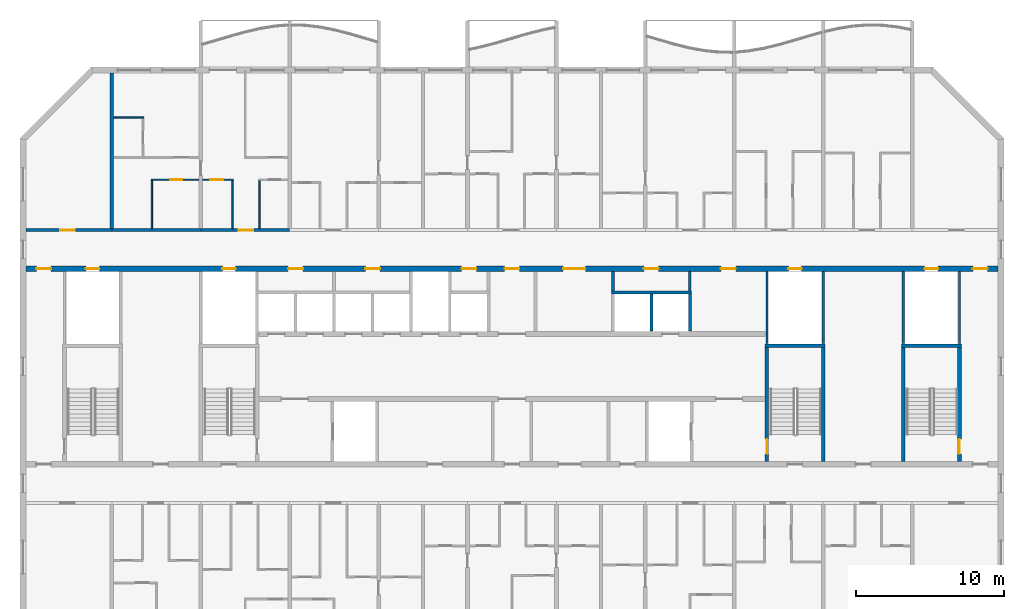
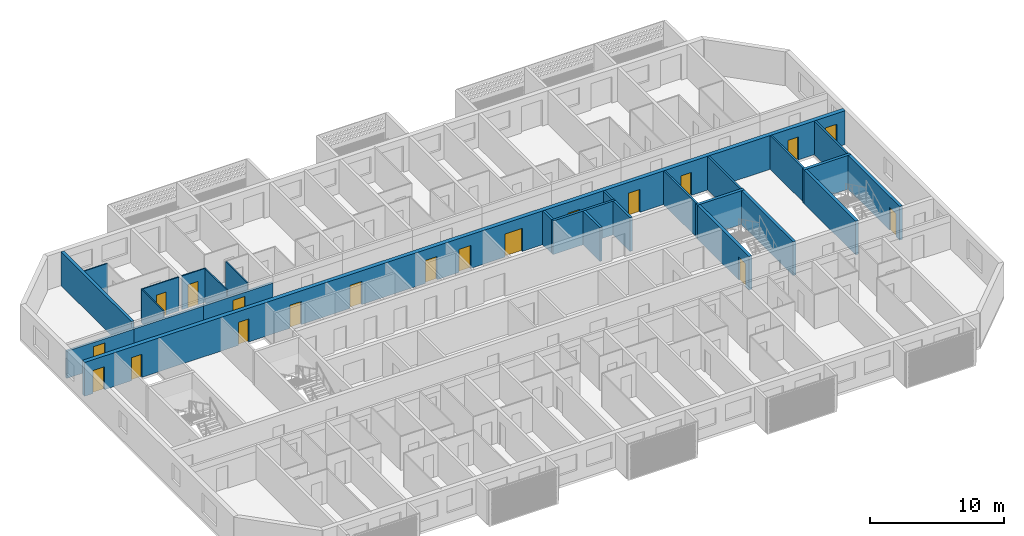
# One storey, part 7 of 26: 26 walls, 19 doors, 19 openings.
"""IFC4 building model written with IfcOpenShell, lengths in metres."""

import ifcopenshell
import ifcopenshell.guid

model = None  # the IFC model being written
_history = None  # IfcOwnerHistory: only IFC2X3 demands one
_inside = {}  # id of a spatial element -> (the spatial element, [elements in it])
_under = {}  # id of a project, library or spatial element -> (it, [spatial elements below it])
_declared = {}  # id of a project -> (the project, [libraries it declares])
_typed = {}  # id of a type object -> (the type object, [elements of that type])
_made_of = {}  # id of a material, layer set ... -> (it, [elements and type objects made of it])


def new_model(schema):
    """Start an empty IFC model of exactly this schema.

    Asked for "IFC4X3", IfcOpenShell would pick the latest addendum, in which some entities
    have other attributes; the version numbers below select the first issue.
    IFC2X3 requires an IfcOwnerHistory on every rooted entity: one is made here for all.
    """
    global model, _history
    if schema == "IFC4X3":
        model = ifcopenshell.file(schema_version=(4, 3, 0, 0))
    else:
        model = ifcopenshell.file(schema=schema)
    _inside.clear()
    _under.clear()
    _declared.clear()
    _typed.clear()
    _made_of.clear()
    _history = None
    if model.schema == "IFC2X3":
        org = make("IfcOrganization", Name="unknown")
        user = make(
            "IfcPersonAndOrganization",
            ThePerson=make("IfcPerson", FamilyName="unknown"),
            TheOrganization=org,
        )
        app = make(
            "IfcApplication",
            ApplicationDeveloper=org,
            Version="unknown",
            ApplicationFullName="unknown",
            ApplicationIdentifier="unknown",
        )
        _history = make(
            "IfcOwnerHistory",
            OwningUser=user,
            OwningApplication=app,
            ChangeAction="ADDED",
            CreationDate=0,
        )
    return model


def make(cls, **values):
    """One entity of the class cls with the attributes given. An attribute that is None is left unset."""
    return model.create_entity(
        cls, **{name: value for name, value in values.items() if value is not None}
    )


def rooted(cls, **values):
    """An entity with a GlobalId (a new one), such as an element, a storey or a relation."""
    return make(cls, GlobalId=ifcopenshell.guid.new(), OwnerHistory=_history, **values)


def si_unit(unit_type, name, prefix=None):
    """IfcSIUnit, for example si_unit("LENGTHUNIT", "METRE", prefix="MILLI")."""
    return make("IfcSIUnit", UnitType=unit_type, Prefix=prefix, Name=name)


def assignment(units):
    """IfcUnitAssignment: the units of a project."""
    return None if units is None else make("IfcUnitAssignment", Units=units)


def point(xyz):
    """IfcCartesianPoint."""
    return None if xyz is None else make("IfcCartesianPoint", Coordinates=xyz)


def direction(xyz):
    """IfcDirection."""
    return None if xyz is None else make("IfcDirection", DirectionRatios=xyz)


def frame(location, z_axis=None, x_axis=None):
    """IfcAxis2Placement3D, a coordinate frame: its origin and axes. An axis left out is left unset."""
    return make(
        "IfcAxis2Placement3D",
        Location=point(location),
        Axis=direction(z_axis),
        RefDirection=direction(x_axis),
    )


def frame_2d(location, x_axis=None):
    """IfcAxis2Placement2D, a coordinate frame in the plane: its origin and x axis."""
    return make(
        "IfcAxis2Placement2D", Location=point(location), RefDirection=direction(x_axis)
    )


def origin():
    """The frame at (0, 0, 0) with its axes left unset."""
    return frame((0.0, 0.0, 0.0))


def place(relative_to, where):
    """IfcLocalPlacement: puts the frame where relative to a parent placement (None: the world)."""
    return make(
        "IfcLocalPlacement", PlacementRelTo=relative_to, RelativePlacement=where
    )


def context(
    kind, dimensions, precision=None, world=None, true_north=None, identifier=None
):
    """IfcGeometricRepresentationContext, for example the 3D "Model" context."""
    return make(
        "IfcGeometricRepresentationContext",
        ContextIdentifier=identifier,
        ContextType=kind,
        CoordinateSpaceDimension=dimensions,
        Precision=precision,
        WorldCoordinateSystem=world,
        TrueNorth=true_north,
    )


def subcontext(parent, identifier, kind, view, scale=None):
    """IfcGeometricRepresentationSubContext, for example "Body" below "Model"."""
    return make(
        "IfcGeometricRepresentationSubContext",
        ContextIdentifier=identifier,
        ContextType=kind,
        ParentContext=parent,
        TargetScale=scale,
        TargetView=view,
    )


def project(units=None, contexts=None):
    """IfcProject with its units and contexts."""
    return rooted(
        "IfcProject",
        Name="project",
        RepresentationContexts=contexts,
        UnitsInContext=assignment(units),
    )


def spatial(cls, under=None, at=None, **own):
    """A site, building, storey or space (cls), placed at a placement, below another one or the project."""
    s = rooted(cls, ObjectPlacement=at, **own)
    if under is not None:
        _under.setdefault(under.id(), (under, []))[1].append(s)
    return s


def profile(cls, at=None, kind="AREA", **sizes):
    """A parametric profile (cls). Its sizes go by their IFC names, for example OverallWidth=200.0."""
    return make(cls, ProfileType=kind, Position=at, **sizes)


def rectangle(**sizes):
    """IfcRectangleProfileDef."""
    return profile("IfcRectangleProfileDef", **sizes)


def extrude(swept, where, along, depth):
    """IfcExtrudedAreaSolid: the profile swept, set in the frame where, extruded along a direction by depth."""
    return make(
        "IfcExtrudedAreaSolid",
        SweptArea=swept,
        Position=where,
        ExtrudedDirection=direction(along),
        Depth=depth,
    )


def shape(context_of_items, identifier, shape_type, items):
    """IfcShapeRepresentation: the items that make up one representation, for example the "Body"."""
    return make(
        "IfcShapeRepresentation",
        ContextOfItems=context_of_items,
        RepresentationIdentifier=identifier,
        RepresentationType=shape_type,
        Items=items,
    )


def material(Name=None, Category=None):
    """IfcMaterial."""
    return make("IfcMaterial", Name=Name, Category=Category)


def layer(
    of_material, thickness, ventilated=None, Name=None, Category=None, Priority=None
):
    """IfcMaterialLayer: one layer of a wall or slab, of a material (None: an air gap)."""
    return make(
        "IfcMaterialLayer",
        Material=of_material,
        LayerThickness=thickness,
        IsVentilated=ventilated,
        Name=Name,
        Category=Category,
        Priority=Priority,
    )


def layer_set(layers, Name=None):
    """IfcMaterialLayerSet."""
    return make("IfcMaterialLayerSet", MaterialLayers=layers, LayerSetName=Name)


def made_of(thing, what):
    """Note that an element or type object is made of a material, layer set ...; save() writes the relation."""
    if what is not None:
        _made_of.setdefault(what.id(), (what, []))[1].append(thing)
    return thing


def type_object(cls, material=None, **own):
    """A type object (cls), such as IfcWallType, which elements share."""
    return made_of(rooted(cls, **own), material)


def element(
    cls,
    number,
    at=None,
    inside=None,
    cuts=None,
    type_object=None,
    material=None,
    context=None,
    identifier="Body",
    shape_type=None,
    held_by="IfcProductDefinitionShape",
    body=None,
    shapes=None,
    **own,
):
    """One element of the class cls, such as IfcWall. Its Tag is "e" and its number.

    at: its placement. inside: the storey or other place that contains it. cuts: it is an
    opening in that element (IfcRelVoidsElement). A single representation is given by context,
    identifier, shape_type and body (its items); several are given by shapes. held_by: the class
    of the entity that holds the representations. save() writes the other relations.
    """
    e = rooted(cls, Tag="e%d" % number, ObjectPlacement=at, **own)
    if body is not None:
        shapes = [shape(context, identifier, shape_type, body)]
    if shapes is not None:
        e.Representation = make(held_by, Representations=shapes)
    if inside is not None:
        _inside.setdefault(inside.id(), (inside, []))[1].append(e)
    if cuts is not None:
        rooted(
            "IfcRelVoidsElement", RelatingBuildingElement=cuts, RelatedOpeningElement=e
        )
    if type_object is not None:
        _typed.setdefault(type_object.id(), (type_object, []))[1].append(e)
    return made_of(e, material)


def fill(opening, filler):
    """IfcRelFillsElement: the door or window that sits in an opening."""
    return rooted(
        "IfcRelFillsElement",
        RelatingOpeningElement=opening,
        RelatedBuildingElement=filler,
    )


def aggregate(whole, parts):
    """IfcRelAggregates: a whole, such as a stair, and the parts it consists of."""
    return rooted("IfcRelAggregates", RelatingObject=whole, RelatedObjects=parts)


def save(model, path):
    """Write the relations noted so far, then the file.

    IfcRelAggregates (storeys below a building ...), IfcRelContainedInSpatialStructure (elements
    in a storey), IfcRelDefinesByType, IfcRelAssociatesMaterial and IfcRelDeclares: one each for
    every whole, place, type object, material and project.
    """
    for whole, parts in _under.values():
        aggregate(whole, parts)
    for where, things in _inside.values():
        rooted(
            "IfcRelContainedInSpatialStructure",
            RelatedElements=things,
            RelatingStructure=where,
        )
    for kind, things in _typed.values():
        rooted("IfcRelDefinesByType", RelatedObjects=things, RelatingType=kind)
    for what, things in _made_of.values():
        rooted("IfcRelAssociatesMaterial", RelatedObjects=things, RelatingMaterial=what)
    for by, libraries in _declared.values():
        rooted("IfcRelDeclares", RelatingContext=by, RelatedDefinitions=libraries)
    model.write(path)


model = new_model("IFC4")

# Units and contexts
model_context = context("Model", 3, precision=1e-05, world=origin(), true_north=direction((0.0, 1.0)))
body_context = subcontext(model_context, "Body", "Model", "MODEL_VIEW")
ifc_project = project(units=[si_unit("LENGTHUNIT", "METRE"), si_unit("AREAUNIT", "SQUARE_METRE"), si_unit("VOLUMEUNIT", "CUBIC_METRE"), si_unit("PLANEANGLEUNIT", "RADIAN"), si_unit("MASSUNIT", "GRAM", prefix="KILO")], contexts=[model_context])

# Site, building, storey
site_placement = place(None, origin())
site = spatial("IfcSite", under=ifc_project, at=site_placement, CompositionType="ELEMENT")
building_placement = place(site_placement, origin())
building = spatial("IfcBuilding", under=site, at=building_placement, Name="Poui Terraces", CompositionType="ELEMENT")
storey_placement = place(building_placement, frame((0.0, 0.0, 228.0)))
storey = spatial("IfcBuildingStorey", under=building, at=storey_placement, Name="L63", CompositionType="ELEMENT", Elevation=228.0)

# Wall, opening, door
ifc_material_1 = material(Name="Concrete 50 MPa", Category="concrete")
ifc_layer_1 = layer(ifc_material_1, 0.199951171875)
ifc_layer_set_1 = layer_set([ifc_layer_1], Name="Concrete 50 MPa")
wall_type_1 = type_object("IfcWallType", Name="CORRIDOR WALL 200 50MPa", PredefinedType="SHEAR", material=ifc_layer_set_1)
wall_1_placement = place(storey_placement, frame((18.199951171875, 30.39990234375, 0.0), z_axis=(0.0, 0.0, 1.0), x_axis=(1.0, 0.0, 0.0)))
wall_1 = element("IfcWall", 1, at=wall_1_placement, inside=storey, type_object=wall_type_1, Name="CORRIDOR WALL LINE E BAY 1", PredefinedType="SHEAR", context=body_context, shape_type="SweptSolid", body=[
    extrude(rectangle(XDim=5.800048828125, YDim=0.199951171875, at=frame_2d((2.89990234375, 0.0))), origin(), (0.0, 0.0, 1.0), 2.47998046875),
])
opening_1_placement = place(wall_1_placement, frame((2.300048828125, 0.0, 0.0)))
opening_1 = element("IfcOpeningElement", 2, at=opening_1_placement, cuts=wall_1, Name="Opening D100", PredefinedType="OPENING", context=body_context, shape_type="SweptSolid", body=[
    extrude(rectangle(XDim=1.0, YDim=2.10009765625, at=frame_2d((0.5, 1.050048828125))), frame((0.0, 0.10986328125, 0.0), z_axis=(0.0, -1.0, 0.0), x_axis=(1.0, 0.0, 0.0)), (0.0, 0.0, 1.0), 0.219970703125),
])
ifc_material_2 = material(Name="Solid core timber door", Category="wood")
door_type_1 = type_object("IfcDoorType", Name="ACCESSIBLE INTERNAL DOOR 1000 X 2100", OperationType="NOTDEFINED", PredefinedType="DOOR", material=ifc_material_2)
door_1_placement = place(opening_1_placement, origin())
door_1 = element("IfcDoor", 3, at=door_1_placement, inside=storey, type_object=door_type_1, Name="ACCESSIBLE INTERNAL DOOR 024", OperationType="SINGLE_SWING_LEFT", OverallHeight=2.10009765625, OverallWidth=1.0, PredefinedType="DOOR", context=body_context, shape_type="SweptSolid", body=[
    extrude(rectangle(XDim=1.0, YDim=2.10009765625, at=frame_2d((0.5, 1.050048828125))), frame((0.0, 0.02490234375, 0.0), z_axis=(0.0, -1.0, 0.0), x_axis=(1.0, 0.0, 0.0)), (0.0, 0.0, 1.0), 0.050048828125),
])
fill(opening_1, door_1)

# Wall
wall_2_placement = place(storey_placement, frame((24.0, 30.39990234375, 0.0), z_axis=(0.0, 0.0, 1.0), x_axis=(1.0, 0.0, 0.0)))
element("IfcWall", 4, at=wall_2_placement, inside=storey, type_object=wall_type_1, Name="CORRIDOR WALL LINE E BAY 2", PredefinedType="SHEAR", context=body_context, shape_type="SweptSolid", body=[
    extrude(rectangle(XDim=6.0, YDim=0.199951171875, at=frame_2d((3.0, 0.0))), origin(), (0.0, 0.0, 1.0), 2.47998046875),
])

# Wall, opening, door
wall_3_placement = place(storey_placement, frame((30.0, 30.39990234375, 0.0), z_axis=(0.0, 0.0, 1.0), x_axis=(1.0, 0.0, 0.0)))
wall_3 = element("IfcWall", 5, at=wall_3_placement, inside=storey, type_object=wall_type_1, Name="CORRIDOR WALL LINE E BAY 3", PredefinedType="SHEAR", context=body_context, shape_type="SweptSolid", body=[
    extrude(rectangle(XDim=6.0, YDim=0.199951171875, at=frame_2d((3.0, 0.0))), origin(), (0.0, 0.0, 1.0), 2.47998046875),
])
opening_2_placement = place(wall_3_placement, frame((2.550048828125, 0.0, 0.0)))
opening_2 = element("IfcOpeningElement", 6, at=opening_2_placement, cuts=wall_3, Name="Opening FD30S", PredefinedType="OPENING", context=body_context, shape_type="SweptSolid", body=[
    extrude(rectangle(XDim=1.0, YDim=2.10009765625, at=frame_2d((0.5, 1.050048828125))), frame((0.0, 0.10986328125, 0.0), z_axis=(0.0, -1.0, 0.0), x_axis=(1.0, 0.0, 0.0)), (0.0, 0.0, 1.0), 0.219970703125),
])
ifc_material_3 = material(Name="Steel fire door", Category="steel")
door_type_2 = type_object("IfcDoorType", Name="FLAT ENTRANCE DOOR 1000 X 2100", OperationType="NOTDEFINED", PredefinedType="DOOR", material=ifc_material_3)
door_2_placement = place(opening_2_placement, origin())
door_2 = element("IfcDoor", 7, at=door_2_placement, inside=storey, type_object=door_type_2, Name="FLAT ENTRANCE DOOR 029", OperationType="SINGLE_SWING_RIGHT", OverallHeight=2.10009765625, OverallWidth=1.0, PredefinedType="DOOR", context=body_context, shape_type="SweptSolid", body=[
    extrude(rectangle(XDim=1.0, YDim=2.10009765625, at=frame_2d((0.5, 1.050048828125))), frame((0.0, 0.02490234375, 0.0), z_axis=(0.0, -1.0, 0.0), x_axis=(1.0, 0.0, 0.0)), (0.0, 0.0, 1.0), 0.050048828125),
])
fill(opening_2, door_2)

# Wall
ifc_layer_2 = layer(ifc_material_1, 0.25)
ifc_layer_set_2 = layer_set([ifc_layer_2], Name="Concrete 50 MPa")
wall_type_2 = type_object("IfcWallType", Name="CROSS WALL 250 50MPa", PredefinedType="SHEAR", material=ifc_layer_set_2)
wall_4_placement = place(storey_placement, frame((24.0, 30.5, 0.0), z_axis=(0.0, 0.0, 1.0), x_axis=(0.0, 1.0, 0.0)))
element("IfcWall", 8, at=wall_4_placement, inside=storey, type_object=wall_type_2, Name="CROSS WALL LINE 5 NORTH", PredefinedType="SHEAR", context=body_context, shape_type="SweptSolid", body=[
    extrude(rectangle(XDim=10.5, YDim=0.25, at=frame_2d((5.25, 0.0))), origin(), (0.0, 0.0, 1.0), 3.080078125),
])

# Wall, opening, door
ifc_material_4 = material(Name="Plasterboard partition")
ifc_layer_3 = layer(ifc_material_4, 0.10009765625)
ifc_layer_set_3 = layer_set([ifc_layer_3], Name="Plasterboard partition")
wall_type_3 = type_object("IfcWallType", Name="FLAT PARTITION 100", PredefinedType="PARTITIONING", material=ifc_layer_set_3)
wall_5_placement = place(storey_placement, frame((26.64990234375, 33.800048828125, 0.0), z_axis=(0.0, 0.0, 1.0), x_axis=(1.0, 0.0, 0.0)))
wall_5 = element("IfcWall", 9, at=wall_5_placement, inside=storey, type_object=wall_type_3, Name="FLAT PARTITION 100", PredefinedType="PARTITIONING", context=body_context, shape_type="SweptSolid", body=[
    extrude(rectangle(XDim=3.215087890625, YDim=0.10009765625, at=frame_2d((1.607421875, 0.0))), origin(), (0.0, 0.0, 1.0), 3.080078125),
])
opening_3_placement = place(wall_5_placement, frame((1.300048828125, 0.0, 0.0)))
opening_3 = element("IfcOpeningElement", 10, at=opening_3_placement, cuts=wall_5, Name="Opening D80", PredefinedType="OPENING", context=body_context, shape_type="SweptSolid", body=[
    extrude(rectangle(XDim=0.800048828125, YDim=2.10009765625, at=frame_2d((0.39990234375, 1.050048828125))), frame((0.0, 0.06005859375, 0.0), z_axis=(0.0, -1.0, 0.0), x_axis=(1.0, 0.0, 0.0)), (0.0, 0.0, 1.0), 0.1201171875),
])
door_type_3 = type_object("IfcDoorType", Name="BATHROOM, LAUNDRY AND STORE DOOR 800 X 2100", OperationType="NOTDEFINED", PredefinedType="DOOR", material=ifc_material_2)
door_3_placement = place(opening_3_placement, origin())
door_3 = element("IfcDoor", 11, at=door_3_placement, inside=storey, type_object=door_type_3, Name="BATHROOM, LAUNDRY AND STORE DOOR 025", OperationType="SINGLE_SWING_LEFT", OverallHeight=2.10009765625, OverallWidth=0.800048828125, PredefinedType="DOOR", context=body_context, shape_type="SweptSolid", body=[
    extrude(rectangle(XDim=0.800048828125, YDim=2.10009765625, at=frame_2d((0.39990234375, 1.050048828125))), frame((0.0, 0.02490234375, 0.0), z_axis=(0.0, -1.0, 0.0), x_axis=(1.0, 0.0, 0.0)), (0.0, 0.0, 1.0), 0.050048828125),
])
fill(opening_3, door_3)

wall_6_placement = place(storey_placement, frame((30.135009765625, 33.800048828125, 0.0), z_axis=(0.0, 0.0, 1.0), x_axis=(1.0, 0.0, 0.0)))
wall_6 = element("IfcWall", 12, at=wall_6_placement, inside=storey, type_object=wall_type_3, Name="FLAT PARTITION 100", PredefinedType="PARTITIONING", context=body_context, shape_type="SweptSolid", body=[
    extrude(rectangle(XDim=2.06494140625, YDim=0.10009765625, at=frame_2d((1.032470703125, 0.0))), origin(), (0.0, 0.0, 1.0), 3.080078125),
])
opening_4_placement = place(wall_6_placement, frame((0.489990234375, 0.0, 0.0)))
opening_4 = element("IfcOpeningElement", 13, at=opening_4_placement, cuts=wall_6, Name="Opening D90", PredefinedType="OPENING", context=body_context, shape_type="SweptSolid", body=[
    extrude(rectangle(XDim=0.89990234375, YDim=2.10009765625, at=frame_2d((0.449951171875, 1.050048828125))), frame((0.0, 0.06005859375, 0.0), z_axis=(0.0, -1.0, 0.0), x_axis=(1.0, 0.0, 0.0)), (0.0, 0.0, 1.0), 0.1201171875),
])
door_type_4 = type_object("IfcDoorType", Name="INTERNAL DOOR 900 X 2100", OperationType="NOTDEFINED", PredefinedType="DOOR", material=ifc_material_2)
door_4_placement = place(opening_4_placement, frame((0.89990234375, 0.0, 0.0), z_axis=(0.0, 0.0, 1.0), x_axis=(-1.0, 0.0, 0.0)))
door_4 = element("IfcDoor", 14, at=door_4_placement, inside=storey, type_object=door_type_4, Name="INTERNAL DOOR 028", OperationType="SINGLE_SWING_RIGHT", OverallHeight=2.10009765625, OverallWidth=0.89990234375, PredefinedType="DOOR", context=body_context, shape_type="SweptSolid", body=[
    extrude(rectangle(XDim=0.89990234375, YDim=2.10009765625, at=frame_2d((0.449951171875, 1.050048828125))), frame((0.0, 0.02490234375, 0.0), z_axis=(0.0, -1.0, 0.0), x_axis=(1.0, 0.0, 0.0)), (0.0, 0.0, 1.0), 0.050048828125),
])
fill(opening_4, door_4)

# Walls
wall_7_placement = place(storey_placement, frame((24.135009765625, 38.0, 0.0), z_axis=(0.0, 0.0, 1.0), x_axis=(1.0, 0.0, 0.0)))
element("IfcWall", 15, at=wall_7_placement, inside=storey, type_object=wall_type_3, Name="FLAT PARTITION 100", PredefinedType="PARTITIONING", context=body_context, shape_type="SweptSolid", body=[
    extrude(rectangle(XDim=2.014892578125, YDim=0.10009765625, at=frame_2d((1.00732421875, 0.0))), origin(), (0.0, 0.0, 1.0), 3.080078125),
])
for number, where, z_axis, x_axis, name in (
    (16, (26.699951171875, 30.510009765625, 0.0), (0.0, 0.0, 1.0), (0.0, 1.0, 0.0), "FLAT PARTITION 100"),
    (17, (32.14990234375, 30.510009765625, 0.0), (0.0, 0.0, 1.0), (0.0, 1.0, 0.0), "FLAT PARTITION 100"),
    (18, (33.949951171875, 30.510009765625, 0.0), (0.0, 0.0, 1.0), (0.0, 1.0, 0.0), "FLAT PARTITION 100"),
):
    element("IfcWall", number, at=place(storey_placement, frame(where, z_axis=z_axis, x_axis=x_axis)), inside=storey, type_object=wall_type_3, Name=name, PredefinedType="PARTITIONING", context=body_context, shape_type="SweptSolid", body=[
        extrude(rectangle(XDim=3.239990234375, YDim=0.10009765625, at=frame_2d((1.6201171875, 0.0))), origin(), (0.0, 0.0, 1.0), 3.080078125),
    ])
ifc_layer_4 = layer(ifc_material_4, 0.14990234375)
ifc_layer_set_4 = layer_set([ifc_layer_4], Name="Plasterboard partition")
wall_type_4 = type_object("IfcWallType", Name="PARTITION WALL 150", PredefinedType="PARTITIONING", material=ifc_layer_set_4)
wall_8_placement = place(storey_placement, frame((63.0, 26.300048828125, 0.0), z_axis=(0.0, 0.0, 1.0), x_axis=(0.0, 1.0, 0.0)))
element("IfcWall", 19, at=wall_8_placement, inside=storey, type_object=wall_type_4, Name="PARTITION WALL 150", PredefinedType="PARTITIONING", context=body_context, shape_type="SweptSolid", body=[
    extrude(rectangle(XDim=1.31494140625, YDim=0.14990234375, at=frame_2d((0.657470703125, 0.0))), origin(), (0.0, 0.0, 1.0), 3.080078125),
])
ifc_material_5 = material(Name="Fire-rated masonry wall", Category="masonry")
ifc_layer_5 = layer(ifc_material_5, 0.199951171875)
ifc_layer_set_5 = layer_set([ifc_layer_5], Name="Fire-rated masonry wall")
wall_type_5 = type_object("IfcWallType", Name="PLANT ROOM WALL 200", PredefinedType="PARTITIONING", material=ifc_layer_set_5)
wall_9_placement = place(storey_placement, frame((57.800048828125, 26.300048828125, 0.0), z_axis=(0.0, 0.0, 1.0), x_axis=(0.0, 1.0, 0.0)))
element("IfcWall", 20, at=wall_9_placement, inside=storey, type_object=wall_type_5, Name="PLANT ROOM WALL 200", PredefinedType="PARTITIONING", context=body_context, shape_type="SweptSolid", body=[
    extrude(rectangle(XDim=1.31494140625, YDim=0.199951171875, at=frame_2d((0.657470703125, 0.0))), origin(), (0.0, 0.0, 1.0), 3.080078125),
])
ifc_material_6 = material(Name="Fire-rated plasterboard riser wall")
ifc_layer_6 = layer(ifc_material_6, 0.14990234375)
ifc_layer_set_6 = layer_set([ifc_layer_6], Name="Fire-rated plasterboard riser wall")
wall_type_6 = type_object("IfcWallType", Name="RISER WALL 150", PredefinedType="PARTITIONING", material=ifc_layer_set_6)
for number, where, z_axis, x_axis, name in (
    (21, (68.199951171875, 22.735107421875, 0.0), (0.0, 0.0, 1.0), (0.0, 1.0, 0.0), "RISER WALL 150"),
    (22, (72.0, 22.735107421875, 0.0), (0.0, 0.0, 1.0), (0.0, 1.0, 0.0), "RISER WALL 150"),
    (23, (77.39990234375, 22.735107421875, 0.0), (0.0, 0.0, 1.0), (0.0, 1.0, 0.0), "RISER WALL 150"),
    (24, (81.199951171875, 22.735107421875, 0.0), (0.0, 0.0, 1.0), (0.0, 1.0, 0.0), "RISER WALL 150"),
):
    element("IfcWall", number, at=place(storey_placement, frame(where, z_axis=z_axis, x_axis=x_axis)), inside=storey, type_object=wall_type_6, Name=name, PredefinedType="PARTITIONING", context=body_context, shape_type="SweptSolid", body=[
        extrude(rectangle(XDim=4.8798828125, YDim=0.14990234375, at=frame_2d((2.43994140625, 0.0))), origin(), (0.0, 0.0, 1.0), 3.080078125),
    ])
ifc_material_7 = material(Name="Fire-rated masonry shaft wall", Category="masonry")
ifc_layer_7 = layer(ifc_material_7, 0.199951171875)
ifc_layer_set_7 = layer_set([ifc_layer_7], Name="Fire-rated masonry shaft wall")
wall_type_7 = type_object("IfcWallType", Name="SHAFT WALL 200", PredefinedType="PARTITIONING", material=ifc_layer_set_7)
wall_10_placement = place(storey_placement, frame((57.699951171875, 26.199951171875, 0.0), z_axis=(0.0, 0.0, 1.0), x_axis=(1.0, 0.0, 0.0)))
element("IfcWall", 25, at=wall_10_placement, inside=storey, type_object=wall_type_7, Name="SHAFT WALL 200", PredefinedType="PARTITIONING", context=body_context, shape_type="SweptSolid", body=[
    extrude(rectangle(XDim=5.400146484375, YDim=0.199951171875, at=frame_2d((2.7001953125, 0.0))), origin(), (0.0, 0.0, 1.0), 3.080078125),
])
for number, where, z_axis, x_axis, name in (
    (26, (60.39990234375, 23.5849609375, 0.0), (0.0, 0.0, 1.0), (0.0, 1.0, 0.0), "SHAFT WALL 200"),
    (27, (63.0, 23.5849609375, 0.0), (0.0, 0.0, 1.0), (0.0, 1.0, 0.0), "SHAFT WALL 200"),
):
    element("IfcWall", number, at=place(storey_placement, frame(where, z_axis=z_axis, x_axis=x_axis)), inside=storey, type_object=wall_type_7, Name=name, PredefinedType="PARTITIONING", context=body_context, shape_type="SweptSolid", body=[
        extrude(rectangle(XDim=2.51513671875, YDim=0.199951171875, at=frame_2d((1.257568359375, 0.0))), origin(), (0.0, 0.0, 1.0), 3.080078125),
    ])

# Wall, openings, doors
ifc_layer_8 = layer(ifc_material_1, 0.35009765625)
ifc_layer_set_8 = layer_set([ifc_layer_8], Name="Concrete 50 MPa")
wall_type_8 = type_object("IfcWallType", Name="SPINE WALL 350 50 MPA", PredefinedType="SOLIDWALL", material=ifc_layer_set_8)
wall_11_placement = place(storey_placement, frame((18.199951171875, 27.800048828125, 0.0), z_axis=(0.0, 0.0, 1.0), x_axis=(1.0, 0.0, 0.0)))
wall_11 = element("IfcWall", 28, at=wall_11_placement, inside=storey, type_object=wall_type_8, Name="SPINE WALL", PredefinedType="SOLIDWALL", context=body_context, shape_type="SweptSolid", body=[
    extrude(rectangle(XDim=65.60009765625, YDim=0.35009765625, at=frame_2d((32.800048828125, 0.0))), origin(), (0.0, 0.0, 1.0), 3.080078125),
])
opening_5_placement = place(wall_11_placement, frame((0.699951171875, 0.0, 0.0)))
opening_5 = element("IfcOpeningElement", 29, at=opening_5_placement, cuts=wall_11, Name="Opening FDL", PredefinedType="OPENING", context=body_context, shape_type="SweptSolid", body=[
    extrude(rectangle(XDim=1.0, YDim=2.10009765625, at=frame_2d((0.5, 1.050048828125))), frame((0.0, 0.18505859375, 0.0), z_axis=(0.0, -1.0, 0.0), x_axis=(1.0, 0.0, 0.0)), (0.0, 0.0, 1.0), 0.3701171875),
])
opening_6_placement = place(wall_11_placement, frame((4.050048828125, 0.0, 0.0)))
opening_6 = element("IfcOpeningElement", 30, at=opening_6_placement, cuts=wall_11, Name="Opening FDR", PredefinedType="OPENING", context=body_context, shape_type="SweptSolid", body=[
    extrude(rectangle(XDim=0.89990234375, YDim=2.10009765625, at=frame_2d((0.449951171875, 1.050048828125))), frame((0.0, 0.18505859375, 0.0), z_axis=(0.0, -1.0, 0.0), x_axis=(1.0, 0.0, 0.0)), (0.0, 0.0, 1.0), 0.3701171875),
])
opening_7_placement = place(wall_11_placement, frame((13.25, 0.0, 0.0)))
opening_7 = element("IfcOpeningElement", 31, at=opening_7_placement, cuts=wall_11, Name="Opening FDR", PredefinedType="OPENING", context=body_context, shape_type="SweptSolid", body=[
    extrude(rectangle(XDim=0.89990234375, YDim=2.10009765625, at=frame_2d((0.449951171875, 1.050048828125))), frame((0.0, 0.18505859375, 0.0), z_axis=(0.0, -1.0, 0.0), x_axis=(1.0, 0.0, 0.0)), (0.0, 0.0, 1.0), 0.3701171875),
])
opening_8_placement = place(wall_11_placement, frame((17.699951171875, 0.0, 0.0)))
opening_8 = element("IfcOpeningElement", 32, at=opening_8_placement, cuts=wall_11, Name="Opening FD60", PredefinedType="OPENING", context=body_context, shape_type="SweptSolid", body=[
    extrude(rectangle(XDim=1.0, YDim=2.10009765625, at=frame_2d((0.5, 1.050048828125))), frame((0.0, 0.18505859375, 0.0), z_axis=(0.0, -1.0, 0.0), x_axis=(1.0, 0.0, 0.0)), (0.0, 0.0, 1.0), 0.3701171875),
])
opening_9_placement = place(wall_11_placement, frame((22.89990234375, 0.0, 0.0)))
opening_9 = element("IfcOpeningElement", 33, at=opening_9_placement, cuts=wall_11, Name="Opening FD60", PredefinedType="OPENING", context=body_context, shape_type="SweptSolid", body=[
    extrude(rectangle(XDim=1.0, YDim=2.10009765625, at=frame_2d((0.5, 1.050048828125))), frame((0.0, 0.18505859375, 0.0), z_axis=(0.0, -1.0, 0.0), x_axis=(1.0, 0.0, 0.0)), (0.0, 0.0, 1.0), 0.3701171875),
])
opening_10_placement = place(wall_11_placement, frame((29.39990234375, 0.0, 0.0)))
opening_10 = element("IfcOpeningElement", 34, at=opening_10_placement, cuts=wall_11, Name="Opening FD60", PredefinedType="OPENING", context=body_context, shape_type="SweptSolid", body=[
    extrude(rectangle(XDim=1.0, YDim=2.10009765625, at=frame_2d((0.5, 1.050048828125))), frame((0.0, 0.18505859375, 0.0), z_axis=(0.0, -1.0, 0.0), x_axis=(1.0, 0.0, 0.0)), (0.0, 0.0, 1.0), 0.3701171875),
])
opening_11_placement = place(wall_11_placement, frame((32.300048828125, 0.0, 0.0)))
opening_11 = element("IfcOpeningElement", 35, at=opening_11_placement, cuts=wall_11, Name="Opening FDL", PredefinedType="OPENING", context=body_context, shape_type="SweptSolid", body=[
    extrude(rectangle(XDim=1.0, YDim=2.10009765625, at=frame_2d((0.5, 1.050048828125))), frame((0.0, 0.18505859375, 0.0), z_axis=(0.0, -1.0, 0.0), x_axis=(1.0, 0.0, 0.0)), (0.0, 0.0, 1.0), 0.3701171875),
])
opening_12_placement = place(wall_11_placement, frame((36.25, 0.0, 0.0)))
opening_12 = element("IfcOpeningElement", 36, at=opening_12_placement, cuts=wall_11, Name="Opening FDP", PredefinedType="OPENING", context=body_context, shape_type="SweptSolid", body=[
    extrude(rectangle(XDim=1.5, YDim=2.10009765625, at=frame_2d((0.75, 1.050048828125))), frame((0.0, 0.18505859375, 0.0), z_axis=(0.0, -1.0, 0.0), x_axis=(1.0, 0.0, 0.0)), (0.0, 0.0, 1.0), 0.3701171875),
])
opening_13_placement = place(wall_11_placement, frame((41.699951171875, 0.0, 0.0)))
opening_13 = element("IfcOpeningElement", 37, at=opening_13_placement, cuts=wall_11, Name="Opening FD60", PredefinedType="OPENING", context=body_context, shape_type="SweptSolid", body=[
    extrude(rectangle(XDim=1.0, YDim=2.10009765625, at=frame_2d((0.5, 1.050048828125))), frame((0.0, 0.18505859375, 0.0), z_axis=(0.0, -1.0, 0.0), x_axis=(1.0, 0.0, 0.0)), (0.0, 0.0, 1.0), 0.3701171875),
])
opening_14_placement = place(wall_11_placement, frame((46.89990234375, 0.0, 0.0)))
opening_14 = element("IfcOpeningElement", 38, at=opening_14_placement, cuts=wall_11, Name="Opening FD60", PredefinedType="OPENING", context=body_context, shape_type="SweptSolid", body=[
    extrude(rectangle(XDim=1.0, YDim=2.10009765625, at=frame_2d((0.5, 1.050048828125))), frame((0.0, 0.18505859375, 0.0), z_axis=(0.0, -1.0, 0.0), x_axis=(1.0, 0.0, 0.0)), (0.0, 0.0, 1.0), 0.3701171875),
])
opening_15_placement = place(wall_11_placement, frame((51.449951171875, 0.0, 0.0)))
opening_15 = element("IfcOpeningElement", 39, at=opening_15_placement, cuts=wall_11, Name="Opening FDR", PredefinedType="OPENING", context=body_context, shape_type="SweptSolid", body=[
    extrude(rectangle(XDim=0.89990234375, YDim=2.10009765625, at=frame_2d((0.449951171875, 1.050048828125))), frame((0.0, 0.18505859375, 0.0), z_axis=(0.0, -1.0, 0.0), x_axis=(1.0, 0.0, 0.0)), (0.0, 0.0, 1.0), 0.3701171875),
])
opening_16_placement = place(wall_11_placement, frame((60.64990234375, 0.0, 0.0)))
opening_16 = element("IfcOpeningElement", 40, at=opening_16_placement, cuts=wall_11, Name="Opening FDR", PredefinedType="OPENING", context=body_context, shape_type="SweptSolid", body=[
    extrude(rectangle(XDim=0.89990234375, YDim=2.10009765625, at=frame_2d((0.449951171875, 1.050048828125))), frame((0.0, 0.18505859375, 0.0), z_axis=(0.0, -1.0, 0.0), x_axis=(1.0, 0.0, 0.0)), (0.0, 0.0, 1.0), 0.3701171875),
])
opening_17_placement = place(wall_11_placement, frame((63.89990234375, 0.0, 0.0)))
opening_17 = element("IfcOpeningElement", 41, at=opening_17_placement, cuts=wall_11, Name="Opening FDL", PredefinedType="OPENING", context=body_context, shape_type="SweptSolid", body=[
    extrude(rectangle(XDim=1.0, YDim=2.10009765625, at=frame_2d((0.5, 1.050048828125))), frame((0.0, 0.18505859375, 0.0), z_axis=(0.0, -1.0, 0.0), x_axis=(1.0, 0.0, 0.0)), (0.0, 0.0, 1.0), 0.3701171875),
])
door_type_5 = type_object("IfcDoorType", Name="LOBBY FIRE DOOR 1000 X 2100", OperationType="NOTDEFINED", PredefinedType="DOOR", material=ifc_material_3)
door_5_placement = place(opening_5_placement, origin())
door_5 = element("IfcDoor", 42, at=door_5_placement, inside=storey, type_object=door_type_5, Name="LOBBY FIRE DOOR 001", OperationType="SINGLE_SWING_LEFT", OverallHeight=2.10009765625, OverallWidth=1.0, PredefinedType="DOOR", context=body_context, shape_type="SweptSolid", body=[
    extrude(rectangle(XDim=1.0, YDim=2.10009765625, at=frame_2d((0.5, 1.050048828125))), frame((0.0, 0.02490234375, 0.0), z_axis=(0.0, -1.0, 0.0), x_axis=(1.0, 0.0, 0.0)), (0.0, 0.0, 1.0), 0.050048828125),
])
fill(opening_5, door_5)
door_6_placement = place(opening_11_placement, origin())
door_6 = element("IfcDoor", 43, at=door_6_placement, inside=storey, type_object=door_type_5, Name="LOBBY FIRE DOOR 007", OperationType="SINGLE_SWING_RIGHT", OverallHeight=2.10009765625, OverallWidth=1.0, PredefinedType="DOOR", context=body_context, shape_type="SweptSolid", body=[
    extrude(rectangle(XDim=1.0, YDim=2.10009765625, at=frame_2d((0.5, 1.050048828125))), frame((0.0, 0.02490234375, 0.0), z_axis=(0.0, -1.0, 0.0), x_axis=(1.0, 0.0, 0.0)), (0.0, 0.0, 1.0), 0.050048828125),
])
fill(opening_11, door_6)
door_7_placement = place(opening_17_placement, origin())
door_7 = element("IfcDoor", 44, at=door_7_placement, inside=storey, type_object=door_type_5, Name="LOBBY FIRE DOOR 013", OperationType="SINGLE_SWING_RIGHT", OverallHeight=2.10009765625, OverallWidth=1.0, PredefinedType="DOOR", context=body_context, shape_type="SweptSolid", body=[
    extrude(rectangle(XDim=1.0, YDim=2.10009765625, at=frame_2d((0.5, 1.050048828125))), frame((0.0, 0.02490234375, 0.0), z_axis=(0.0, -1.0, 0.0), x_axis=(1.0, 0.0, 0.0)), (0.0, 0.0, 1.0), 0.050048828125),
])
fill(opening_17, door_7)
door_type_6 = type_object("IfcDoorType", Name="PLANT ROOM DOOR PAIR 1500 X 2100", OperationType="DOUBLE_DOOR_SINGLE_SWING", PredefinedType="DOOR", material=ifc_material_3)
door_8_placement = place(opening_12_placement, origin())
door_8 = element("IfcDoor", 45, at=door_8_placement, inside=storey, type_object=door_type_6, Name="PLANT ROOM DOOR PAIR 008", OperationType="DOUBLE_DOOR_SINGLE_SWING", OverallHeight=2.10009765625, OverallWidth=1.5, PredefinedType="DOOR", context=body_context, shape_type="SweptSolid", body=[
    extrude(rectangle(XDim=1.5, YDim=2.10009765625, at=frame_2d((0.75, 1.050048828125))), frame((0.0, 0.02490234375, 0.0), z_axis=(0.0, -1.0, 0.0), x_axis=(1.0, 0.0, 0.0)), (0.0, 0.0, 1.0), 0.050048828125),
])
fill(opening_12, door_8)
door_type_7 = type_object("IfcDoorType", Name="RISER CUPBOARD DOOR 900 X 2100", OperationType="NOTDEFINED", PredefinedType="DOOR", material=ifc_material_3)
door_9_placement = place(opening_6_placement, origin())
door_9 = element("IfcDoor", 46, at=door_9_placement, inside=storey, type_object=door_type_7, Name="RISER CUPBOARD DOOR 002", OperationType="SINGLE_SWING_LEFT", OverallHeight=2.10009765625, OverallWidth=0.89990234375, PredefinedType="DOOR", context=body_context, shape_type="SweptSolid", body=[
    extrude(rectangle(XDim=0.89990234375, YDim=2.10009765625, at=frame_2d((0.449951171875, 1.050048828125))), frame((0.0, 0.02490234375, 0.0), z_axis=(0.0, -1.0, 0.0), x_axis=(1.0, 0.0, 0.0)), (0.0, 0.0, 1.0), 0.050048828125),
])
fill(opening_6, door_9)
door_10_placement = place(opening_7_placement, origin())
door_10 = element("IfcDoor", 47, at=door_10_placement, inside=storey, type_object=door_type_7, Name="RISER CUPBOARD DOOR 003", OperationType="SINGLE_SWING_LEFT", OverallHeight=2.10009765625, OverallWidth=0.89990234375, PredefinedType="DOOR", context=body_context, shape_type="SweptSolid", body=[
    extrude(rectangle(XDim=0.89990234375, YDim=2.10009765625, at=frame_2d((0.449951171875, 1.050048828125))), frame((0.0, 0.02490234375, 0.0), z_axis=(0.0, -1.0, 0.0), x_axis=(1.0, 0.0, 0.0)), (0.0, 0.0, 1.0), 0.050048828125),
])
fill(opening_7, door_10)
door_11_placement = place(opening_15_placement, origin())
door_11 = element("IfcDoor", 48, at=door_11_placement, inside=storey, type_object=door_type_7, Name="RISER CUPBOARD DOOR 011", OperationType="SINGLE_SWING_RIGHT", OverallHeight=2.10009765625, OverallWidth=0.89990234375, PredefinedType="DOOR", context=body_context, shape_type="SweptSolid", body=[
    extrude(rectangle(XDim=0.89990234375, YDim=2.10009765625, at=frame_2d((0.449951171875, 1.050048828125))), frame((0.0, 0.02490234375, 0.0), z_axis=(0.0, -1.0, 0.0), x_axis=(1.0, 0.0, 0.0)), (0.0, 0.0, 1.0), 0.050048828125),
])
fill(opening_15, door_11)
door_12_placement = place(opening_16_placement, origin())
door_12 = element("IfcDoor", 49, at=door_12_placement, inside=storey, type_object=door_type_7, Name="RISER CUPBOARD DOOR 012", OperationType="SINGLE_SWING_RIGHT", OverallHeight=2.10009765625, OverallWidth=0.89990234375, PredefinedType="DOOR", context=body_context, shape_type="SweptSolid", body=[
    extrude(rectangle(XDim=0.89990234375, YDim=2.10009765625, at=frame_2d((0.449951171875, 1.050048828125))), frame((0.0, 0.02490234375, 0.0), z_axis=(0.0, -1.0, 0.0), x_axis=(1.0, 0.0, 0.0)), (0.0, 0.0, 1.0), 0.050048828125),
])
fill(opening_16, door_12)
door_type_8 = type_object("IfcDoorType", Name="SERVICE ROOM FIRE DOOR 1000 X 2100", OperationType="NOTDEFINED", PredefinedType="DOOR", material=ifc_material_3)
door_13_placement = place(opening_8_placement, origin())
door_13 = element("IfcDoor", 50, at=door_13_placement, inside=storey, type_object=door_type_8, Name="SERVICE ROOM FIRE DOOR 004", OperationType="SINGLE_SWING_RIGHT", OverallHeight=2.10009765625, OverallWidth=1.0, PredefinedType="DOOR", context=body_context, shape_type="SweptSolid", body=[
    extrude(rectangle(XDim=1.0, YDim=2.10009765625, at=frame_2d((0.5, 1.050048828125))), frame((0.0, 0.02490234375, 0.0), z_axis=(0.0, -1.0, 0.0), x_axis=(1.0, 0.0, 0.0)), (0.0, 0.0, 1.0), 0.050048828125),
])
fill(opening_8, door_13)
door_14_placement = place(opening_9_placement, origin())
door_14 = element("IfcDoor", 51, at=door_14_placement, inside=storey, type_object=door_type_8, Name="SERVICE ROOM FIRE DOOR 005", OperationType="SINGLE_SWING_LEFT", OverallHeight=2.10009765625, OverallWidth=1.0, PredefinedType="DOOR", context=body_context, shape_type="SweptSolid", body=[
    extrude(rectangle(XDim=1.0, YDim=2.10009765625, at=frame_2d((0.5, 1.050048828125))), frame((0.0, 0.02490234375, 0.0), z_axis=(0.0, -1.0, 0.0), x_axis=(1.0, 0.0, 0.0)), (0.0, 0.0, 1.0), 0.050048828125),
])
fill(opening_9, door_14)
door_15_placement = place(opening_10_placement, origin())
door_15 = element("IfcDoor", 52, at=door_15_placement, inside=storey, type_object=door_type_8, Name="SERVICE ROOM FIRE DOOR 006", OperationType="SINGLE_SWING_RIGHT", OverallHeight=2.10009765625, OverallWidth=1.0, PredefinedType="DOOR", context=body_context, shape_type="SweptSolid", body=[
    extrude(rectangle(XDim=1.0, YDim=2.10009765625, at=frame_2d((0.5, 1.050048828125))), frame((0.0, 0.02490234375, 0.0), z_axis=(0.0, -1.0, 0.0), x_axis=(1.0, 0.0, 0.0)), (0.0, 0.0, 1.0), 0.050048828125),
])
fill(opening_10, door_15)
door_16_placement = place(opening_13_placement, origin())
door_16 = element("IfcDoor", 53, at=door_16_placement, inside=storey, type_object=door_type_8, Name="SERVICE ROOM FIRE DOOR 009", OperationType="SINGLE_SWING_RIGHT", OverallHeight=2.10009765625, OverallWidth=1.0, PredefinedType="DOOR", context=body_context, shape_type="SweptSolid", body=[
    extrude(rectangle(XDim=1.0, YDim=2.10009765625, at=frame_2d((0.5, 1.050048828125))), frame((0.0, 0.02490234375, 0.0), z_axis=(0.0, -1.0, 0.0), x_axis=(1.0, 0.0, 0.0)), (0.0, 0.0, 1.0), 0.050048828125),
])
fill(opening_13, door_16)
door_17_placement = place(opening_14_placement, origin())
door_17 = element("IfcDoor", 54, at=door_17_placement, inside=storey, type_object=door_type_8, Name="SERVICE ROOM FIRE DOOR 010", OperationType="SINGLE_SWING_LEFT", OverallHeight=2.10009765625, OverallWidth=1.0, PredefinedType="DOOR", context=body_context, shape_type="SweptSolid", body=[
    extrude(rectangle(XDim=1.0, YDim=2.10009765625, at=frame_2d((0.5, 1.050048828125))), frame((0.0, 0.02490234375, 0.0), z_axis=(0.0, -1.0, 0.0), x_axis=(1.0, 0.0, 0.0)), (0.0, 0.0, 1.0), 0.050048828125),
])
fill(opening_14, door_17)

# Wall, opening, door
ifc_layer_9 = layer(ifc_material_1, 0.25)
ifc_layer_set_9 = layer_set([ifc_layer_9], Name="Concrete 50 MPa")
wall_type_9 = type_object("IfcWallType", Name="STAIR CORE WALL 250 50 MPA", PredefinedType="SOLIDWALL", material=ifc_layer_set_9)
wall_12_placement = place(storey_placement, frame((68.199951171875, 14.77490234375, 0.0), z_axis=(0.0, 0.0, 1.0), x_axis=(0.0, 1.0, 0.0)))
wall_12 = element("IfcWall", 55, at=wall_12_placement, inside=storey, type_object=wall_type_9, Name="STAIR CORE WALL", PredefinedType="SOLIDWALL", context=body_context, shape_type="SweptSolid", body=[
    extrude(rectangle(XDim=7.7001953125, YDim=0.25, at=frame_2d((3.85009765625, 0.0))), origin(), (0.0, 0.0, 1.0), 3.080078125),
])
opening_18_placement = place(wall_12_placement, frame((0.52490234375, 0.0, 0.0)))
opening_18 = element("IfcOpeningElement", 56, at=opening_18_placement, cuts=wall_12, Name="Opening FD60S", PredefinedType="OPENING", context=body_context, shape_type="SweptSolid", body=[
    extrude(rectangle(XDim=1.0, YDim=2.10009765625, at=frame_2d((0.5, 1.050048828125))), frame((0.0, 0.135009765625, 0.0), z_axis=(0.0, -1.0, 0.0), x_axis=(1.0, 0.0, 0.0)), (0.0, 0.0, 1.0), 0.27001953125),
])
door_type_9 = type_object("IfcDoorType", Name="STAIR DOOR 1000 X 2100", OperationType="NOTDEFINED", PredefinedType="DOOR", material=ifc_material_3)
door_18_placement = place(opening_18_placement, frame((1.0, 0.0, 0.0), z_axis=(0.0, 0.0, 1.0), x_axis=(-1.0, 0.0, 0.0)))
door_18 = element("IfcDoor", 57, at=door_18_placement, inside=storey, type_object=door_type_9, Name="STAIR DOOR 096", OperationType="SINGLE_SWING_LEFT", OverallHeight=2.10009765625, OverallWidth=1.0, PredefinedType="DOOR", context=body_context, shape_type="SweptSolid", body=[
    extrude(rectangle(XDim=1.0, YDim=2.10009765625, at=frame_2d((0.5, 1.050048828125))), frame((0.0, 0.02490234375, 0.0), z_axis=(0.0, -1.0, 0.0), x_axis=(1.0, 0.0, 0.0)), (0.0, 0.0, 1.0), 0.050048828125),
])
fill(opening_18, door_18)

# Walls
wall_13_placement = place(storey_placement, frame((72.0, 14.77490234375, 0.0), z_axis=(0.0, 0.0, 1.0), x_axis=(0.0, 1.0, 0.0)))
element("IfcWall", 58, at=wall_13_placement, inside=storey, type_object=wall_type_9, Name="STAIR CORE WALL", PredefinedType="SOLIDWALL", context=body_context, shape_type="SweptSolid", body=[
    extrude(rectangle(XDim=7.7001953125, YDim=0.25, at=frame_2d((3.85009765625, 0.0))), origin(), (0.0, 0.0, 1.0), 3.080078125),
])
wall_14_placement = place(storey_placement, frame((68.074951171875, 22.60009765625, 0.0), z_axis=(0.0, 0.0, 1.0), x_axis=(1.0, 0.0, 0.0)))
element("IfcWall", 59, at=wall_14_placement, inside=storey, type_object=wall_type_9, Name="STAIR CORE WALL", PredefinedType="SOLIDWALL", context=body_context, shape_type="SweptSolid", body=[
    extrude(rectangle(XDim=4.050048828125, YDim=0.25, at=frame_2d((2.02490234375, 0.0))), origin(), (0.0, 0.0, 1.0), 3.080078125),
])
wall_15_placement = place(storey_placement, frame((77.39990234375, 14.77490234375, 0.0), z_axis=(0.0, 0.0, 1.0), x_axis=(0.0, 1.0, 0.0)))
element("IfcWall", 60, at=wall_15_placement, inside=storey, type_object=wall_type_9, Name="STAIR CORE WALL", PredefinedType="SOLIDWALL", context=body_context, shape_type="SweptSolid", body=[
    extrude(rectangle(XDim=7.7001953125, YDim=0.25, at=frame_2d((3.85009765625, 0.0))), origin(), (0.0, 0.0, 1.0), 3.080078125),
])

# Wall, opening, door
wall_16_placement = place(storey_placement, frame((81.199951171875, 14.77490234375, 0.0), z_axis=(0.0, 0.0, 1.0), x_axis=(0.0, 1.0, 0.0)))
wall_16 = element("IfcWall", 61, at=wall_16_placement, inside=storey, type_object=wall_type_9, Name="STAIR CORE WALL", PredefinedType="SOLIDWALL", context=body_context, shape_type="SweptSolid", body=[
    extrude(rectangle(XDim=7.7001953125, YDim=0.25, at=frame_2d((3.85009765625, 0.0))), origin(), (0.0, 0.0, 1.0), 3.080078125),
])
opening_19_placement = place(wall_16_placement, frame((0.52490234375, 0.0, 0.0)))
opening_19 = element("IfcOpeningElement", 62, at=opening_19_placement, cuts=wall_16, Name="Opening FD60S", PredefinedType="OPENING", context=body_context, shape_type="SweptSolid", body=[
    extrude(rectangle(XDim=1.0, YDim=2.10009765625, at=frame_2d((0.5, 1.050048828125))), frame((0.0, 0.135009765625, 0.0), z_axis=(0.0, -1.0, 0.0), x_axis=(1.0, 0.0, 0.0)), (0.0, 0.0, 1.0), 0.27001953125),
])
door_19_placement = place(opening_19_placement, origin())
door_19 = element("IfcDoor", 63, at=door_19_placement, inside=storey, type_object=door_type_9, Name="STAIR DOOR 110", OperationType="SINGLE_SWING_LEFT", OverallHeight=2.10009765625, OverallWidth=1.0, PredefinedType="DOOR", context=body_context, shape_type="SweptSolid", body=[
    extrude(rectangle(XDim=1.0, YDim=2.10009765625, at=frame_2d((0.5, 1.050048828125))), frame((0.0, 0.02490234375, 0.0), z_axis=(0.0, -1.0, 0.0), x_axis=(1.0, 0.0, 0.0)), (0.0, 0.0, 1.0), 0.050048828125),
])
fill(opening_19, door_19)

# Wall
wall_17_placement = place(storey_placement, frame((77.27490234375, 22.60009765625, 0.0), z_axis=(0.0, 0.0, 1.0), x_axis=(1.0, 0.0, 0.0)))
element("IfcWall", 64, at=wall_17_placement, inside=storey, type_object=wall_type_9, Name="STAIR CORE WALL", PredefinedType="SOLIDWALL", context=body_context, shape_type="SweptSolid", body=[
    extrude(rectangle(XDim=4.050048828125, YDim=0.25, at=frame_2d((2.02490234375, 0.0))), origin(), (0.0, 0.0, 1.0), 3.080078125),
])

save(model, "model.ifc")
